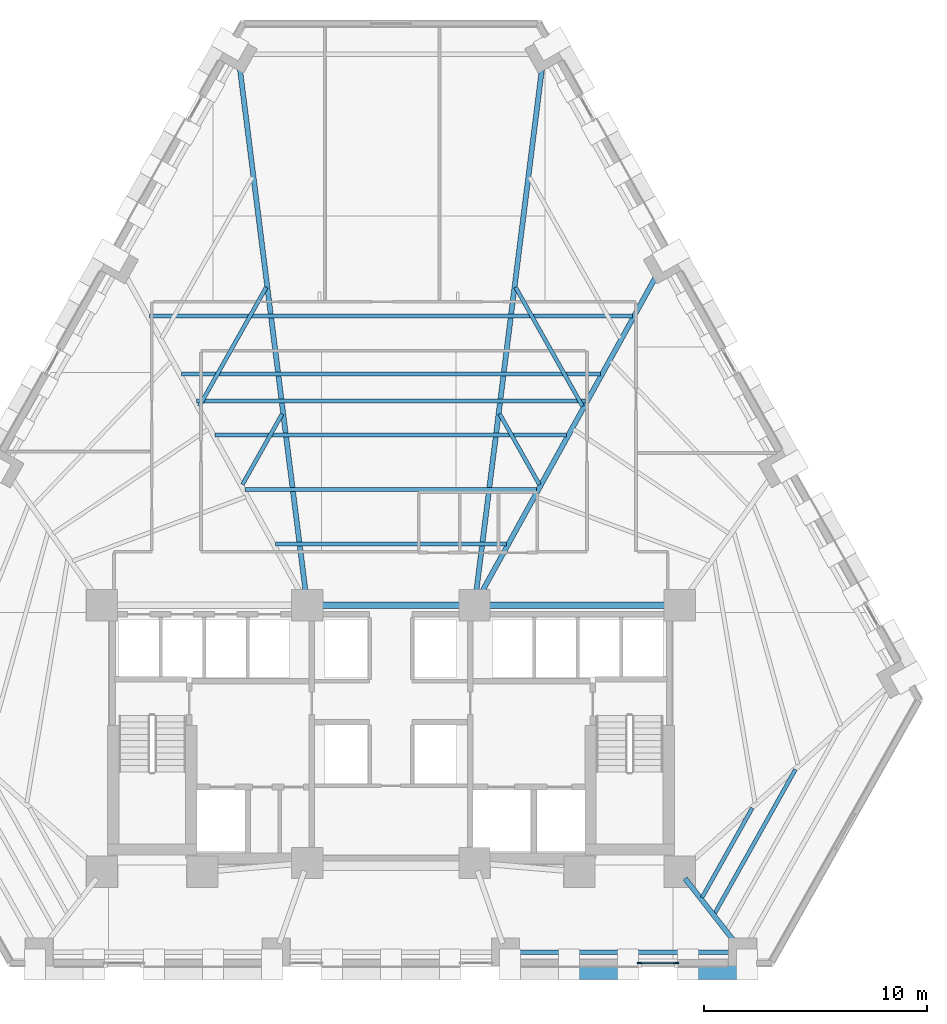
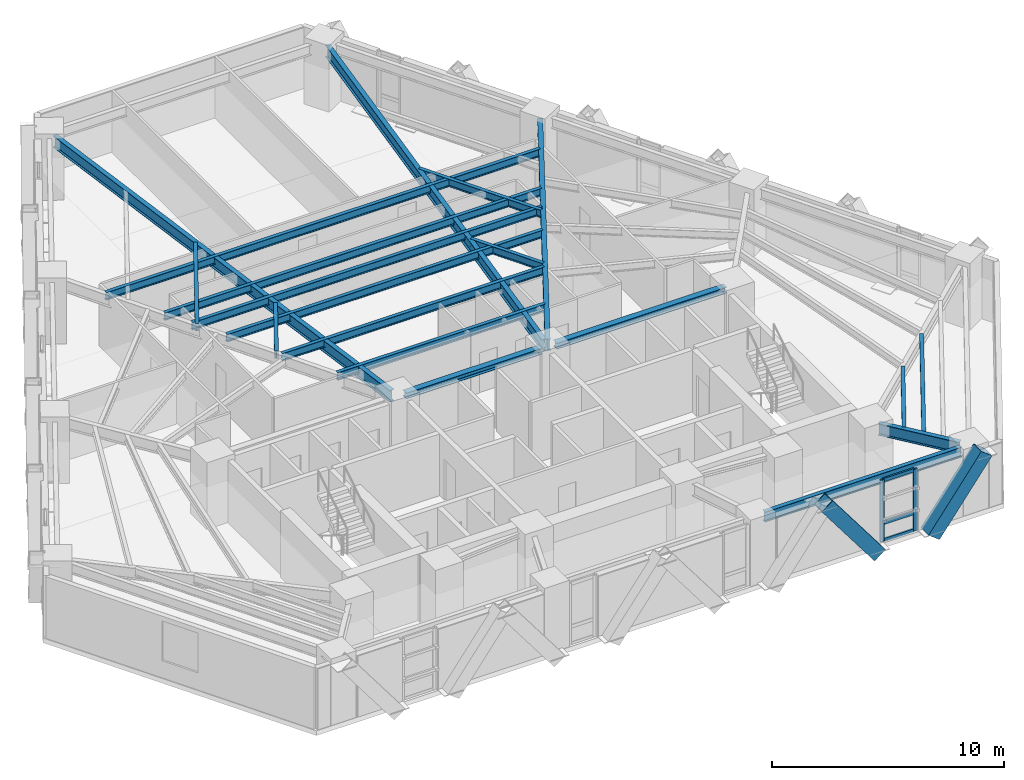
# One storey, part 3 of 13: 19 beams, 7 members, 1 element without a shape of its own.
"""IFC4 building model written with IfcOpenShell, lengths in metres."""

from ifc_helpers import new_model, si_unit, direction, frame, origin, origin_2d, place, context, subcontext, project, spatial, rectangle, hollow_rectangle, i_section, extrude, material, material_profile, profile_set, type_object, element, aggregate, save


model = new_model("IFC4")

# Units and contexts
model_context = context("Model", 3, precision=1e-05, world=origin(), true_north=direction((0.0, 1.0)))
body_context = subcontext(model_context, "Body", "Model", "MODEL_VIEW")
ifc_project = project(units=[si_unit("LENGTHUNIT", "METRE"), si_unit("AREAUNIT", "SQUARE_METRE"), si_unit("VOLUMEUNIT", "CUBIC_METRE"), si_unit("PLANEANGLEUNIT", "RADIAN"), si_unit("MASSUNIT", "GRAM", prefix="KILO")], contexts=[model_context])

# Site, building, storey
site_placement = place(None, origin())
site = spatial("IfcSite", under=ifc_project, at=site_placement, CompositionType="ELEMENT")
building_placement = place(site_placement, origin())
building = spatial("IfcBuilding", under=site, at=building_placement, Name="Quenlor Broadcast Tower", CompositionType="ELEMENT")
storey_placement = place(building_placement, frame((0.0, 0.0, 55.60009765625)))
storey = spatial("IfcBuildingStorey", under=building, at=storey_placement, Name="L14", CompositionType="ELEMENT", Elevation=55.60009765625)

# Curtain wall, members
ifc_material_1 = material(Name="Architectural Terracotta and Low-E Glazing", Category="masonry")
curtain_wall_type = type_object("IfcCurtainWallType", Name="Unitised Terracotta Curtain Wall System Z1", PredefinedType="NOTDEFINED", material=ifc_material_1)
curtain_wall_placement = place(storey_placement, origin())
curtain_wall = element("IfcCurtainWall", 1, at=curtain_wall_placement, inside=storey, type_object=curtain_wall_type, Name="L14 Curtain Wall CW1 (L14-SA-G1)", PredefinedType="NOTDEFINED")
ifc_material_2 = material(Name="Aluminium 6063-T6", Category="aluminium")
ifc_material_profile_1 = material_profile(ifc_material_2, rectangle(XDim=0.080078125, YDim=0.219970703125, at=origin_2d()))
ifc_profile_set_1 = profile_set([ifc_material_profile_1], Name="Aluminium 6063-T6 MULL80x220")
member_type_1 = type_object("IfcMemberType", Name="CW1 Aluminium Mullion MULL_CW1", PredefinedType="MULLION", material=ifc_profile_set_1)
member_1_placement = place(storey_placement, frame((12.794921875, -20.840087890625, 0.0), z_axis=(0.0, 0.0, 1.0), x_axis=(0.0, -1.0, 0.0)))
member_1 = element("IfcMember", 2, at=member_1_placement, type_object=member_type_1, Name="CW1 mullion 1", PredefinedType="MULLION", context=body_context, shape_type="SweptSolid", body=[
    extrude(rectangle(XDim=0.080078125, YDim=0.219970703125, at=origin_2d()), origin(), (0.0, 0.0, 1.0), 3.25),
])
member_2_placement = place(storey_placement, frame((11.146484375, -20.840087890625, 0.0), z_axis=(0.0, 0.0, 1.0), x_axis=(0.0, -1.0, 0.0)))
member_2 = element("IfcMember", 3, at=member_2_placement, type_object=member_type_1, Name="CW1 mullion 2", PredefinedType="MULLION", context=body_context, shape_type="SweptSolid", body=[
    extrude(rectangle(XDim=0.080078125, YDim=0.219970703125, at=origin_2d()), origin(), (0.0, 0.0, 1.0), 3.25),
])
ifc_material_3 = material(Name="Aluminium 6063-T6", Category="aluminium")
ifc_material_profile_2 = material_profile(ifc_material_3, rectangle(XDim=0.080078125, YDim=0.179931640625, at=origin_2d()))
ifc_profile_set_2 = profile_set([ifc_material_profile_2], Name="Aluminium 6063-T6 TRAN80x180")
member_type_2 = type_object("IfcMemberType", Name="CW1 Aluminium Transom TRAN_CW1", PredefinedType="USERDEFINED", material=ifc_profile_set_2)
member_3_placement = place(storey_placement, frame((12.7548828125, -20.840087890625, 0.039794921875), z_axis=(-1.0, 0.0, 0.0), x_axis=(0.0, -1.0, 0.0)))
member_3 = element("IfcMember", 4, at=member_3_placement, type_object=member_type_2, Name="CW1 transom 1.1", ObjectType="TRANSOM", PredefinedType="USERDEFINED", context=body_context, shape_type="SweptSolid", body=[
    extrude(rectangle(XDim=0.080078125, YDim=0.179931640625, at=origin_2d()), origin(), (0.0, 0.0, 1.0), 1.568359375),
])
member_4_placement = place(storey_placement, frame((12.7548828125, -20.840087890625, 0.949951171875), z_axis=(-1.0, 0.0, 0.0), x_axis=(0.0, -1.0, 0.0)))
member_4 = element("IfcMember", 5, at=member_4_placement, type_object=member_type_2, Name="CW1 transom 1.2", ObjectType="TRANSOM", PredefinedType="USERDEFINED", context=body_context, shape_type="SweptSolid", body=[
    extrude(rectangle(XDim=0.080078125, YDim=0.179931640625, at=origin_2d()), origin(), (0.0, 0.0, 1.0), 1.568359375),
])
member_5_placement = place(storey_placement, frame((12.7548828125, -20.840087890625, 3.2099609375), z_axis=(-1.0, 0.0, 0.0), x_axis=(0.0, -1.0, 0.0)))
member_5 = element("IfcMember", 6, at=member_5_placement, type_object=member_type_2, Name="CW1 transom 1.3", ObjectType="TRANSOM", PredefinedType="USERDEFINED", context=body_context, shape_type="SweptSolid", body=[
    extrude(rectangle(XDim=0.080078125, YDim=0.179931640625, at=origin_2d()), origin(), (0.0, 0.0, 1.0), 1.568359375),
])
aggregate(curtain_wall, [member_1, member_2, member_3, member_4, member_5])

# Beams
ifc_material_4 = material(Name="Steel S355", Category="steel")
ifc_material_profile_3 = material_profile(ifc_material_4, i_section(OverallWidth=0.304931640625, OverallDepth=0.30810546875, WebThickness=0.010009765625, FlangeThickness=0.015380859375, FilletRadius=0.0166015625, at=origin_2d()))
ifc_profile_set_3 = profile_set([ifc_material_profile_3], Name="Steel S355 310UC96.8")
beam_type_1 = type_object("IfcBeamType", Name="Core Header Beam Steel S355 310UC96.8", PredefinedType="BEAM", material=ifc_profile_set_3)
beam_1_placement = place(storey_placement, frame((-3.389892578125, -4.800048828125, 3.095947265625), z_axis=(1.0, 0.0, 0.0), x_axis=(0.0, 1.0, 0.0)))
element("IfcBeam", 7, at=beam_1_placement, inside=storey, type_object=beam_type_1, Name="L14 Core Header Beam 2", PredefinedType="BEAM", context=body_context, shape_type="SweptSolid", body=[
    extrude(i_section(OverallWidth=0.304931640625, OverallDepth=0.30810546875, WebThickness=0.010009765625, FlangeThickness=0.015380859375, FilletRadius=0.0166015625, at=origin_2d()), origin(), (0.0, 0.0, 1.0), 6.77978515625),
])
ifc_material_5 = material(Name="Steel S355", Category="steel")
ifc_material_profile_4 = material_profile(ifc_material_5, i_section(OverallWidth=0.306884765625, OverallDepth=0.314697265625, WebThickness=0.011962890625, FlangeThickness=0.018798828125, FilletRadius=0.0166015625, at=origin_2d()))
ifc_profile_set_4 = profile_set([ifc_material_profile_4], Name="Steel S355 310UC118")
beam_type_2 = type_object("IfcBeamType", Name="Core Tie Beam Steel S355 310UC118", PredefinedType="BEAM", material=ifc_profile_set_4)
beam_2_placement = place(storey_placement, frame((4.110107421875, -4.800048828125, 3.092529296875), z_axis=(1.0, 0.0, 0.0), x_axis=(0.0, 1.0, 0.0)))
element("IfcBeam", 8, at=beam_2_placement, inside=storey, type_object=beam_type_2, Name="L14 Core Tie Beam 3", PredefinedType="BEAM", context=body_context, shape_type="SweptSolid", body=[
    extrude(i_section(OverallWidth=0.306884765625, OverallDepth=0.314697265625, WebThickness=0.011962890625, FlangeThickness=0.018798828125, FilletRadius=0.0166015625, at=origin_2d()), origin(), (0.0, 0.0, 1.0), 8.47998046875),
])

# Members
ifc_material_6 = material(Name="Steel S355", Category="steel")
ifc_material_profile_5 = material_profile(ifc_material_6, hollow_rectangle(XDim=0.679931640625, YDim=0.679931640625, WallThickness=0.034912109375, at=origin_2d()))
ifc_profile_set_5 = profile_set([ifc_material_profile_5], Name="Steel S355 RHS680x680x35")
member_type_3 = type_object("IfcMemberType", Name="Perimeter Diagonal Lattice Brace Z1 Steel S355 RHS680x35", PredefinedType="BRACE", material=ifc_profile_set_5)
for number, where, z_axis, x_axis, name in (
    (9, (10.624755859375, -21.235107421875, -0.1201171875), (-0.600463982679, 0.0, 0.799651802665), (0.0, -1.0, 0.0), "L14 Perimeter Diamond Lattice S-C1S"),
    (10, (13.31689453125, -21.235107421875, -0.1201171875), (0.600463982679, 0.0, 0.799651802665), (0.0, 1.0, 0.0), "L14 Perimeter Diamond Lattice S-C1B"),
):
    element("IfcMember", number, at=place(storey_placement, frame(where, z_axis=z_axis, x_axis=x_axis)), inside=storey, type_object=member_type_3, Name=name, PredefinedType="BRACE", context=body_context, shape_type="SweptSolid", body=[
        extrude(hollow_rectangle(XDim=0.679931640625, YDim=0.679931640625, WallThickness=0.034912109375, at=origin_2d()), origin(), (0.0, 0.0, 1.0), 4.376953125),
    ])

# Beams
ifc_material_7 = material(Name="Steel S355", Category="steel")
ifc_material_profile_6 = material_profile(ifc_material_7, i_section(OverallWidth=0.208984375, OverallDepth=0.532958984375, WebThickness=0.01025390625, FlangeThickness=0.015625, FilletRadius=0.013916015625, at=origin_2d()))
ifc_profile_set_6 = profile_set([ifc_material_profile_6], Name="Steel S355 530UB92.4")
beam_type_3 = type_object("IfcBeamType", Name="Perimeter Spandrel Beam Z1 Steel S355 530UB92.4", PredefinedType="SPANDREL", material=ifc_profile_set_6)
beam_3_placement = place(storey_placement, frame((5.55078125, -20.35009765625, 2.9833984375), z_axis=(1.0, 0.0, 0.0), x_axis=(0.0, 1.0, 0.0)))
element("IfcBeam", 11, at=beam_3_placement, inside=storey, type_object=beam_type_3, Name="L14 Spandrel Beam S3-S4", PredefinedType="SPANDREL", context=body_context, shape_type="SweptSolid", body=[
    extrude(i_section(OverallWidth=0.208984375, OverallDepth=0.532958984375, WebThickness=0.01025390625, FlangeThickness=0.015625, FilletRadius=0.013916015625, at=origin_2d()), origin(), (0.0, 0.0, 1.0), 9.80419921875),
])
ifc_material_8 = material(Name="Steel S355", Category="steel")
ifc_material_profile_7 = material_profile(ifc_material_8, i_section(OverallWidth=0.177978515625, OverallDepth=0.406494140625, WebThickness=0.0078125, FlangeThickness=0.0126953125, FilletRadius=0.011474609375, at=origin_2d()))
ifc_profile_set_7 = profile_set([ifc_material_profile_7], Name="Steel S355 410UB59.7")
beam_type_4 = type_object("IfcBeamType", Name="Tower Composite Joist Z1 Steel S355 410UB59.7", PredefinedType="JOIST", material=ifc_profile_set_7)
beam_4_placement = place(storey_placement, frame((-5.184326171875, -2.0546875, 3.046630859375), z_axis=(1.0, 0.0, 0.0), x_axis=(0.0, 1.0, 0.0)))
element("IfcBeam", 12, at=beam_4_placement, inside=storey, type_object=beam_type_4, Name="L14 Secondary Composite Joist 1", PredefinedType="JOIST", context=body_context, shape_type="SweptSolid", body=[
    extrude(i_section(OverallWidth=0.177978515625, OverallDepth=0.406494140625, WebThickness=0.0078125, FlangeThickness=0.0126953125, FilletRadius=0.011474609375, at=origin_2d()), origin(), (0.0, 0.0, 1.0), 10.36865234375),
])
beam_5_placement = place(storey_placement, frame((-8.718017578125, 4.3505859375, 3.046630859375), z_axis=(1.0, 0.0, 0.0), x_axis=(0.0, 1.0, 0.0)))
element("IfcBeam", 13, at=beam_5_placement, inside=storey, type_object=beam_type_4, Name="L14 Secondary Composite Joist 2", PredefinedType="JOIST", context=body_context, shape_type="SweptSolid", body=[
    extrude(i_section(OverallWidth=0.177978515625, OverallDepth=0.406494140625, WebThickness=0.0078125, FlangeThickness=0.0126953125, FilletRadius=0.011474609375, at=origin_2d()), origin(), (0.0, 0.0, 1.0), 17.43603515625),
])
beam_6_placement = place(storey_placement, frame((-6.530517578125, 0.38525390625, 3.046630859375), z_axis=(1.0, 0.0, 0.0), x_axis=(0.0, 1.0, 0.0)))
element("IfcBeam", 14, at=beam_6_placement, inside=storey, type_object=beam_type_4, Name="L14 Secondary Composite Joist 3", PredefinedType="JOIST", context=body_context, shape_type="SweptSolid", body=[
    extrude(i_section(OverallWidth=0.177978515625, OverallDepth=0.406494140625, WebThickness=0.0078125, FlangeThickness=0.0126953125, FilletRadius=0.011474609375, at=origin_2d()), origin(), (0.0, 0.0, 1.0), 13.06103515625),
])
beam_7_placement = place(storey_placement, frame((-7.87646484375, 2.825439453125, 3.046630859375), z_axis=(1.0, 0.0, 0.0), x_axis=(0.0, 1.0, 0.0)))
element("IfcBeam", 15, at=beam_7_placement, inside=storey, type_object=beam_type_4, Name="L14 Secondary Composite Joist 4", PredefinedType="JOIST", context=body_context, shape_type="SweptSolid", body=[
    extrude(i_section(OverallWidth=0.177978515625, OverallDepth=0.406494140625, WebThickness=0.0078125, FlangeThickness=0.0126953125, FilletRadius=0.011474609375, at=origin_2d()), origin(), (0.0, 0.0, 1.0), 15.7529296875),
])
beam_8_placement = place(storey_placement, frame((-9.390869140625, 5.570556640625, 3.046630859375), z_axis=(1.0, 0.0, 0.0), x_axis=(0.0, 1.0, 0.0)))
element("IfcBeam", 16, at=beam_8_placement, inside=storey, type_object=beam_type_4, Name="L14 Secondary Composite Joist 5", PredefinedType="JOIST", context=body_context, shape_type="SweptSolid", body=[
    extrude(i_section(OverallWidth=0.177978515625, OverallDepth=0.406494140625, WebThickness=0.0078125, FlangeThickness=0.0126953125, FilletRadius=0.011474609375, at=origin_2d()), origin(), (0.0, 0.0, 1.0), 18.78173828125),
])
beam_9_placement = place(storey_placement, frame((-10.821044921875, 8.163330078125, 3.046630859375), z_axis=(1.0, 0.0, 0.0), x_axis=(0.0, 1.0, 0.0)))
element("IfcBeam", 17, at=beam_9_placement, inside=storey, type_object=beam_type_4, Name="L14 Secondary Composite Joist 6", PredefinedType="JOIST", context=body_context, shape_type="SweptSolid", body=[
    extrude(i_section(OverallWidth=0.177978515625, OverallDepth=0.406494140625, WebThickness=0.0078125, FlangeThickness=0.0126953125, FilletRadius=0.011474609375, at=origin_2d()), origin(), (0.0, 0.0, 1.0), 21.64208984375),
])
beam_10_placement = place(storey_placement, frame((13.9462890625, -17.904296875, 3.046630859375), z_axis=(0.489062021968, 0.872249011848, 0.0), x_axis=(-0.872249011848, 0.489062021968, 0.0)))
element("IfcBeam", 18, at=beam_10_placement, inside=storey, type_object=beam_type_4, Name="L14 Secondary Composite Joist 22", PredefinedType="JOIST", context=body_context, shape_type="SweptSolid", body=[
    extrude(i_section(OverallWidth=0.177978515625, OverallDepth=0.406494140625, WebThickness=0.0078125, FlangeThickness=0.0126953125, FilletRadius=0.011474609375, at=origin_2d()), origin(), (0.0, 0.0, 1.0), 4.6025390625),
])
beam_11_placement = place(storey_placement, frame((14.50927734375, -18.624267578125, 3.046630859375), z_axis=(0.489088249322, 0.872234305892, 0.0), x_axis=(-0.872234305892, 0.489088249322, 0.0)))
element("IfcBeam", 19, at=beam_11_placement, inside=storey, type_object=beam_type_4, Name="L14 Secondary Composite Joist 23", PredefinedType="JOIST", context=body_context, shape_type="SweptSolid", body=[
    extrude(i_section(OverallWidth=0.177978515625, OverallDepth=0.406494140625, WebThickness=0.0078125, FlangeThickness=0.0126953125, FilletRadius=0.011474609375, at=origin_2d()), origin(), (0.0, 0.0, 1.0), 7.404296875),
])
beam_12_placement = place(storey_placement, frame((-4.87451171875, 3.7734375, 3.046630859375), z_axis=(-0.490286766726, -0.871561177642, 0.0), x_axis=(0.871561177642, -0.490286766726, 0.0)))
element("IfcBeam", 20, at=beam_12_placement, inside=storey, type_object=beam_type_4, Name="L14 Secondary Composite Joist 25", PredefinedType="JOIST", context=body_context, shape_type="SweptSolid", body=[
    extrude(i_section(OverallWidth=0.177978515625, OverallDepth=0.406494140625, WebThickness=0.0078125, FlangeThickness=0.0126953125, FilletRadius=0.011474609375, at=origin_2d()), origin(), (0.0, 0.0, 1.0), 3.632568359375),
])
beam_13_placement = place(storey_placement, frame((-5.587646484375, 9.453125, 3.046630859375), z_axis=(-0.490276380443, -0.871567020246, 0.0), x_axis=(0.871567020246, -0.490276380443, 0.0)))
element("IfcBeam", 21, at=beam_13_placement, inside=storey, type_object=beam_type_4, Name="L14 Secondary Composite Joist 26", PredefinedType="JOIST", context=body_context, shape_type="SweptSolid", body=[
    extrude(i_section(OverallWidth=0.177978515625, OverallDepth=0.406494140625, WebThickness=0.0078125, FlangeThickness=0.0126953125, FilletRadius=0.011474609375, at=origin_2d()), origin(), (0.0, 0.0, 1.0), 6.12451171875),
])
beam_14_placement = place(storey_placement, frame((4.87451171875, 3.7734375, 3.046630859375), z_axis=(0.490286766726, -0.871561177642, 0.0), x_axis=(0.871561177642, 0.490286766726, 0.0)))
element("IfcBeam", 22, at=beam_14_placement, inside=storey, type_object=beam_type_4, Name="L14 Secondary Composite Joist 28", PredefinedType="JOIST", context=body_context, shape_type="SweptSolid", body=[
    extrude(i_section(OverallWidth=0.177978515625, OverallDepth=0.406494140625, WebThickness=0.0078125, FlangeThickness=0.0126953125, FilletRadius=0.011474609375, at=origin_2d()), origin(), (0.0, 0.0, 1.0), 3.632568359375),
])
beam_15_placement = place(storey_placement, frame((5.587646484375, 9.453125, 3.046630859375), z_axis=(0.490276380443, -0.871567020246, 0.0), x_axis=(0.871567020246, 0.490276380443, 0.0)))
element("IfcBeam", 23, at=beam_15_placement, inside=storey, type_object=beam_type_4, Name="L14 Secondary Composite Joist 29", PredefinedType="JOIST", context=body_context, shape_type="SweptSolid", body=[
    extrude(i_section(OverallWidth=0.177978515625, OverallDepth=0.406494140625, WebThickness=0.0078125, FlangeThickness=0.0126953125, FilletRadius=0.011474609375, at=origin_2d()), origin(), (0.0, 0.0, 1.0), 6.12451171875),
])
ifc_material_9 = material(Name="Steel S355", Category="steel")
ifc_material_profile_8 = material_profile(ifc_material_9, i_section(OverallWidth=0.22900390625, OverallDepth=0.611572265625, WebThickness=0.011962890625, FlangeThickness=0.01953125, FilletRadius=0.013916015625, at=origin_2d()))
ifc_profile_set_8 = profile_set([ifc_material_profile_8], Name="Steel S355 610UB125")
beam_type_5 = type_object("IfcBeamType", Name="Tower Primary Floor Beam Z1 Steel S355 610UB125", PredefinedType="BEAM", material=ifc_profile_set_8)
beam_16_placement = place(storey_placement, frame((15.512451171875, -20.027099609375, 2.944091796875), z_axis=(-0.615968610193, 0.78777069713, 0.0), x_axis=(-0.78777069713, -0.615968610193, 0.0)))
element("IfcBeam", 24, at=beam_16_placement, inside=storey, type_object=beam_type_5, Name="L14 Primary Radial Beam S4", PredefinedType="BEAM", context=body_context, shape_type="SweptSolid", body=[
    extrude(i_section(OverallWidth=0.22900390625, OverallDepth=0.611572265625, WebThickness=0.011962890625, FlangeThickness=0.01953125, FilletRadius=0.013916015625, at=origin_2d()), origin(), (0.0, 0.0, 1.0), 3.780029296875),
])
beam_17_placement = place(storey_placement, frame((11.965087890625, 10.091796875, 2.944091796875), z_axis=(-0.483026493693, -0.875605736842, 0.0), x_axis=(0.875605736842, -0.483026493693, 0.0)))
element("IfcBeam", 25, at=beam_17_placement, inside=storey, type_object=beam_type_5, Name="L14 Primary Radial Beam NE3", PredefinedType="BEAM", context=body_context, shape_type="SweptSolid", body=[
    extrude(i_section(OverallWidth=0.22900390625, OverallDepth=0.611572265625, WebThickness=0.011962890625, FlangeThickness=0.01953125, FilletRadius=0.013916015625, at=origin_2d()), origin(), (0.0, 0.0, 1.0), 16.62744140625),
])
for number, where, z_axis, x_axis, name in (
    (26, (6.7998046875, 19.48779296875, 2.944091796875), (-0.124589575762, -0.99220836401, 0.0), (0.99220836401, -0.124589575762, 0.0), "L14 Primary Radial Beam NE4"),
    (27, (-6.7998046875, 19.48779296875, 2.944091796875), (0.124589575762, -0.99220836401, 0.0), (0.99220836401, 0.124589575762, 0.0), "L14 Primary Radial Beam NW1"),
):
    element("IfcBeam", number, at=place(storey_placement, frame(where, z_axis=z_axis, x_axis=x_axis)), inside=storey, type_object=beam_type_5, Name=name, PredefinedType="BEAM", context=body_context, shape_type="SweptSolid", body=[
        extrude(i_section(OverallWidth=0.22900390625, OverallDepth=0.611572265625, WebThickness=0.011962890625, FlangeThickness=0.01953125, FilletRadius=0.013916015625, at=origin_2d()), origin(), (0.0, 0.0, 1.0), 24.0986328125),
    ])

save(model, "model.ifc")
